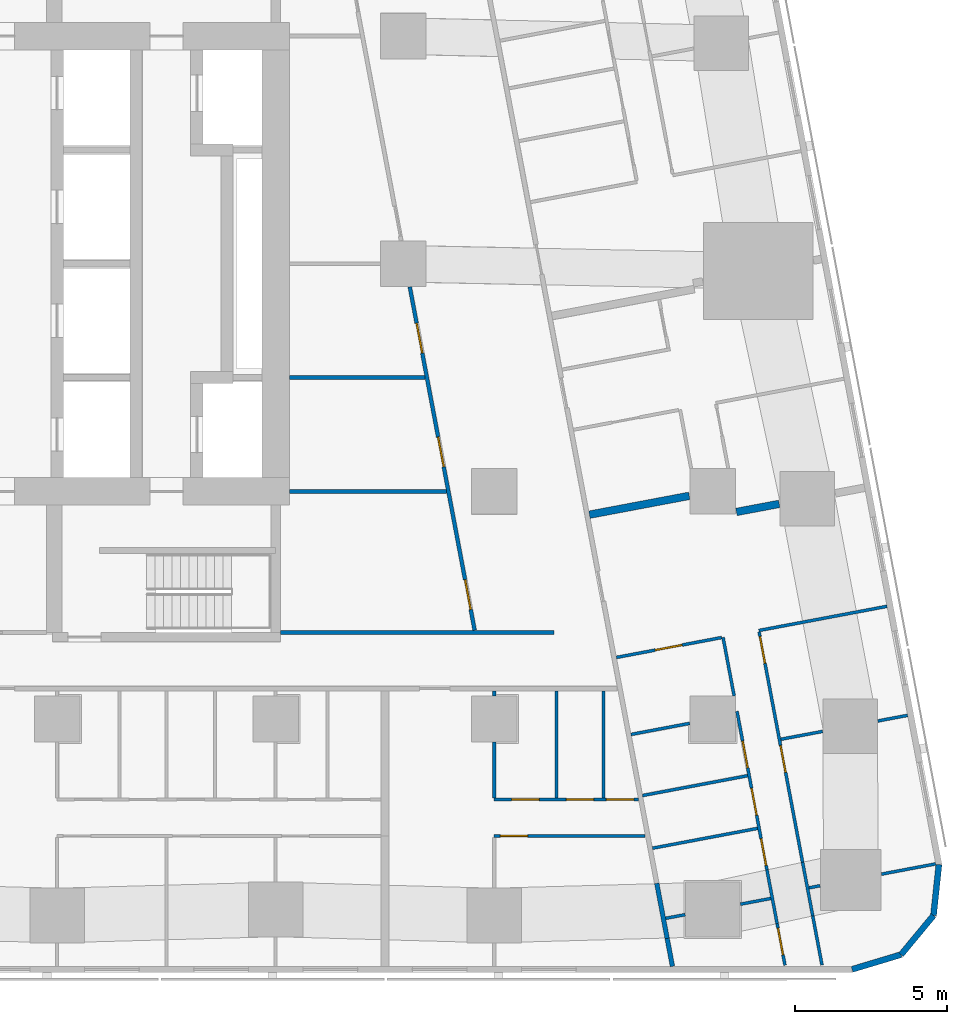
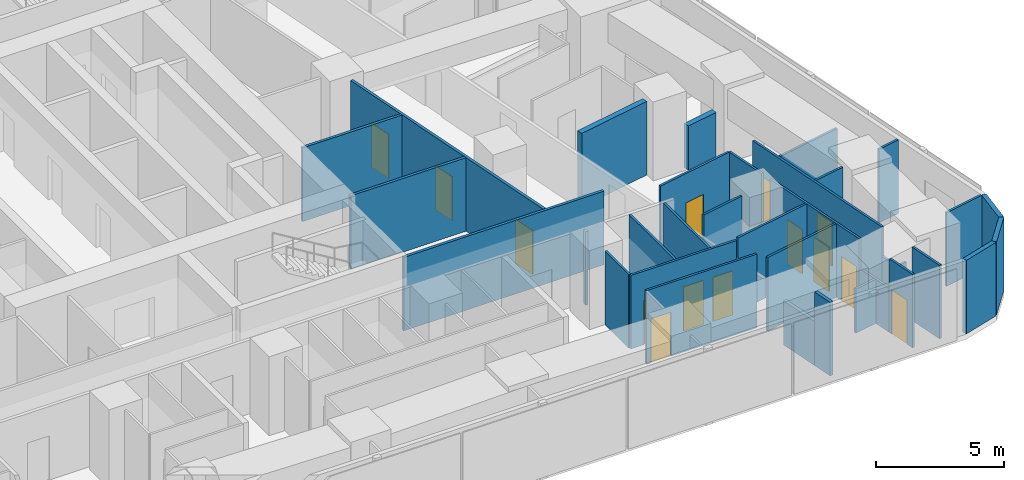
# One storey, part 7 of 15: 35 walls, 14 doors, 14 openings.
"""IFC4 building model written with IfcOpenShell, lengths in metres."""

from ifc_helpers import new_model, si_unit, direction, frame, frame_2d, origin, place, context, subcontext, project, spatial, rectangle, extrude, material, layer, layer_set, type_object, element, fill, save


model = new_model("IFC4")

# Units and contexts
model_context = context("Model", 3, precision=1e-05, world=origin(), true_north=direction((0.0, 1.0)))
body_context = subcontext(model_context, "Body", "Model", "MODEL_VIEW")
ifc_project = project(units=[si_unit("LENGTHUNIT", "METRE"), si_unit("AREAUNIT", "SQUARE_METRE"), si_unit("VOLUMEUNIT", "CUBIC_METRE"), si_unit("PLANEANGLEUNIT", "RADIAN"), si_unit("MASSUNIT", "GRAM", prefix="KILO")], contexts=[model_context])

# Site, building, storey
site_placement = place(None, origin())
site = spatial("IfcSite", under=ifc_project, at=site_placement, CompositionType="ELEMENT")
building_placement = place(site_placement, origin())
building = spatial("IfcBuilding", under=site, at=building_placement, Name="Sheger Commons Tower", CompositionType="ELEMENT")
storey_placement = place(building_placement, frame((0.0, 0.0, 143.300048828125)))
storey = spatial("IfcBuildingStorey", under=building, at=storey_placement, Name="L36", CompositionType="ELEMENT", Elevation=143.300048828125)

# Walls
ifc_material_1 = material(Name="Hollow concrete block masonry, skimmed both sides", Category="masonry")
ifc_layer_1 = layer(ifc_material_1, 0.14990234375)
ifc_layer_set_1 = layer_set([ifc_layer_1], Name="CORRIDOR WALL 150")
wall_type_1 = type_object("IfcWallType", Name="CORRIDOR WALL 150", PredefinedType="SOLIDWALL", material=ifc_layer_set_1)
wall_1_placement = place(storey_placement, frame((41.35498046875, 2.0859375, 0.0), z_axis=(0.0, 0.0, 1.0), x_axis=(0.185708872674, -0.982604811005, 0.0)))
element("IfcWall", 1, at=wall_1_placement, inside=storey, type_object=wall_type_1, Name="Corridor wall L36", PredefinedType="SOLIDWALL", context=body_context, shape_type="SweptSolid", body=[
    extrude(rectangle(XDim=1.84716796875, YDim=0.14990234375, at=frame_2d((0.923583984375, 0.0))), origin(), (0.0, 0.0, 1.0), 2.099853515625),
])
wall_2_placement = place(storey_placement, frame((41.697998046875, 0.27099609375, 0.0), z_axis=(0.0, 0.0, 1.0), x_axis=(0.185735329995, -0.982599810295, 0.0)))
element("IfcWall", 2, at=wall_2_placement, inside=storey, type_object=wall_type_1, Name="Corridor wall L36", PredefinedType="SOLIDWALL", context=body_context, shape_type="SweptSolid", body=[
    extrude(rectangle(XDim=0.937255859375, YDim=0.14990234375, at=frame_2d((0.46875, 0.0))), origin(), (0.0, 0.0, 1.0), 3.5),
])
ifc_material_2 = material(Name="Dense concrete block masonry, plastered both sides (separating wall between flats)", Category="masonry")
ifc_layer_2 = layer(ifc_material_2, 0.25)
ifc_layer_set_2 = layer_set([ifc_layer_2], Name="DEMISING WALL 250")
wall_type_2 = type_object("IfcWallType", Name="DEMISING WALL 250", PredefinedType="SOLIDWALL", material=ifc_layer_set_2)
wall_3_placement = place(storey_placement, frame((45.389892578125, 14.587890625, 0.0), z_axis=(0.0, 0.0, 1.0), x_axis=(-0.982680951688, -0.18530555089, 0.0)))
element("IfcWall", 3, at=wall_3_placement, inside=storey, type_object=wall_type_2, Name="Demising wall L36", PredefinedType="SOLIDWALL", context=body_context, shape_type="SweptSolid", body=[
    extrude(rectangle(XDim=1.434814453125, YDim=0.25, at=frame_2d((0.71728515625, 0.0))), origin(), (0.0, 0.0, 1.0), 2.099853515625),
])
wall_4_placement = place(storey_placement, frame((42.426025390625, 14.85302734375, 0.0), z_axis=(0.0, 0.0, 1.0), x_axis=(-0.982633560103, -0.185556693654, 0.0)))
element("IfcWall", 4, at=wall_4_placement, inside=storey, type_object=wall_type_2, Name="Demising wall L36", PredefinedType="SOLIDWALL", context=body_context, shape_type="SweptSolid", body=[
    extrude(rectangle(XDim=3.34716796875, YDim=0.25, at=frame_2d((1.673583984375, 0.0))), origin(), (0.0, 0.0, 1.0), 3.5),
])
ifc_material_3 = material(Name="Rendered concrete block masonry, dark grey", Category="masonry")
ifc_layer_3 = layer(ifc_material_3, 0.199951171875)
ifc_layer_set_3 = layer_set([ifc_layer_3], Name="FACADE WALL 200")
wall_type_3 = type_object("IfcWallType", Name="FACADE WALL 200", PredefinedType="SOLIDWALL", material=ifc_layer_set_3)
wall_5_placement = place(storey_placement, frame((47.791015625, -0.75, 0.0), z_axis=(0.0, 0.0, 1.0), x_axis=(0.957455232626, 0.288581838509, 0.0)))
element("IfcWall", 5, at=wall_5_placement, inside=storey, type_object=wall_type_3, Name="Facade wall L36", PredefinedType="SOLIDWALL", context=body_context, shape_type="SweptSolid", body=[
    extrude(rectangle(XDim=1.687744140625, YDim=0.199951171875, at=frame_2d((0.84375, 0.0))), origin(), (0.0, 0.0, 1.0), 3.5),
])
wall_6_placement = place(storey_placement, frame((49.406982421875, -0.262939453125, 0.0), z_axis=(0.0, 0.0, 1.0), x_axis=(0.638042593423, 0.770001070764, 0.0)))
element("IfcWall", 6, at=wall_6_placement, inside=storey, type_object=wall_type_3, Name="Facade wall L36", PredefinedType="SOLIDWALL", context=body_context, shape_type="SweptSolid", body=[
    extrude(rectangle(XDim=1.672607421875, YDim=0.199951171875, at=frame_2d((0.83642578125, 0.0))), origin(), (0.0, 0.0, 1.0), 3.5),
])
wall_7_placement = place(storey_placement, frame((50.47412109375, 1.02490234375, 0.0), z_axis=(0.0, 0.0, 1.0), x_axis=(0.106047815515, 0.994361031429, 0.0)))
element("IfcWall", 7, at=wall_7_placement, inside=storey, type_object=wall_type_3, Name="Facade wall L36", PredefinedType="SOLIDWALL", context=body_context, shape_type="SweptSolid", body=[
    extrude(rectangle(XDim=1.6875, YDim=0.199951171875, at=frame_2d((0.84375, 0.0))), origin(), (0.0, 0.0, 1.0), 3.5),
])

# Wall, opening, door
ifc_material_4 = material(Name="Gypsum board on steel studs", Category="steel")
ifc_layer_4 = layer(ifc_material_4, 0.10009765625)
ifc_layer_set_4 = layer_set([ifc_layer_4], Name="PARTITION 100")
wall_type_4 = type_object("IfcWallType", Name="PARTITION 100", PredefinedType="PARTITIONING", material=ifc_layer_set_4)
wall_8_placement = place(storey_placement, frame((40.97412109375, 3.64990234375, 0.0), z_axis=(0.0, 0.0, 1.0), x_axis=(-1.0, 0.0, 0.0)))
wall_8 = element("IfcWall", 8, at=wall_8_placement, inside=storey, type_object=wall_type_4, Name="Partition L36", PredefinedType="PARTITIONING", context=body_context, shape_type="SweptSolid", body=[
    extrude(rectangle(XDim=4.97412109375, YDim=0.10009765625, at=frame_2d((2.487060546875, 0.0))), origin(), (0.0, 0.0, 1.0), 3.5),
])
opening_1_placement = place(wall_8_placement, frame((3.8740234375, 0.0, 0.0)))
opening_1 = element("IfcOpeningElement", 9, at=opening_1_placement, cuts=wall_8, Name="Opening D2", PredefinedType="OPENING", context=body_context, shape_type="SweptSolid", body=[
    extrude(rectangle(XDim=0.89990234375, YDim=2.10009765625, at=frame_2d((0.449951171875, 1.050048828125))), frame((0.0, 0.06005859375, 0.0), z_axis=(0.0, -1.0, 0.0), x_axis=(1.0, 0.0, 0.0)), (0.0, 0.0, 1.0), 0.1201171875),
])
ifc_material_5 = material(Name="Timber door set", Category="wood")
door_type_1 = type_object("IfcDoorType", Name="INTERNAL DOOR 900x2100", OperationType="NOTDEFINED", PredefinedType="DOOR", material=ifc_material_5)
door_1_placement = place(opening_1_placement, origin())
door_1 = element("IfcDoor", 10, at=door_1_placement, inside=storey, type_object=door_type_1, Name="Main bedroom door", OperationType="SINGLE_SWING_RIGHT", OverallHeight=2.10009765625, OverallWidth=0.89990234375, PredefinedType="DOOR", context=body_context, shape_type="SweptSolid", body=[
    extrude(rectangle(XDim=0.89990234375, YDim=2.10009765625, at=frame_2d((0.449951171875, 1.050048828125))), frame((0.0, 0.02490234375, 0.0), z_axis=(0.0, -1.0, 0.0), x_axis=(1.0, 0.0, 0.0)), (0.0, 0.0, 1.0), 0.050048828125),
])
fill(opening_1, door_1)

# Wall, openings, doors
wall_9_placement = place(storey_placement, frame((40.7470703125, 4.85009765625, 0.0), z_axis=(0.0, 0.0, 1.0), x_axis=(-1.0, 0.0, 0.0)))
wall_9 = element("IfcWall", 11, at=wall_9_placement, inside=storey, type_object=wall_type_4, Name="Partition L36", PredefinedType="PARTITIONING", context=body_context, shape_type="SweptSolid", body=[
    extrude(rectangle(XDim=4.7470703125, YDim=0.10009765625, at=frame_2d((2.37353515625, 0.0))), origin(), (0.0, 0.0, 1.0), 3.5),
])
opening_2_placement = place(wall_9_placement, frame((3.27197265625, 0.0, 0.0)))
opening_2 = element("IfcOpeningElement", 12, at=opening_2_placement, cuts=wall_9, Name="Opening D2", PredefinedType="OPENING", context=body_context, shape_type="SweptSolid", body=[
    extrude(rectangle(XDim=0.89990234375, YDim=2.10009765625, at=frame_2d((0.449951171875, 1.050048828125))), frame((0.0, 0.06005859375, 0.0), z_axis=(0.0, -1.0, 0.0), x_axis=(1.0, 0.0, 0.0)), (0.0, 0.0, 1.0), 0.1201171875),
])
opening_3_placement = place(wall_9_placement, frame((0.14990234375, 0.0, 0.0)))
opening_3 = element("IfcOpeningElement", 13, at=opening_3_placement, cuts=wall_9, Name="Opening D2", PredefinedType="OPENING", context=body_context, shape_type="SweptSolid", body=[
    extrude(rectangle(XDim=0.89990234375, YDim=2.10009765625, at=frame_2d((0.449951171875, 1.050048828125))), frame((0.0, 0.06005859375, 0.0), z_axis=(0.0, -1.0, 0.0), x_axis=(1.0, 0.0, 0.0)), (0.0, 0.0, 1.0), 0.1201171875),
])
opening_4_placement = place(wall_9_placement, frame((1.471923828125, 0.0, 0.0)))
opening_4 = element("IfcOpeningElement", 14, at=opening_4_placement, cuts=wall_9, Name="Opening D2", PredefinedType="OPENING", context=body_context, shape_type="SweptSolid", body=[
    extrude(rectangle(XDim=0.89990234375, YDim=2.10009765625, at=frame_2d((0.449951171875, 1.050048828125))), frame((0.0, 0.06005859375, 0.0), z_axis=(0.0, -1.0, 0.0), x_axis=(1.0, 0.0, 0.0)), (0.0, 0.0, 1.0), 0.1201171875),
])
door_2_placement = place(opening_2_placement, origin())
door_2 = element("IfcDoor", 15, at=door_2_placement, inside=storey, type_object=door_type_1, Name="Bathroom door", OperationType="SINGLE_SWING_LEFT", OverallHeight=2.10009765625, OverallWidth=0.89990234375, PredefinedType="DOOR", context=body_context, shape_type="SweptSolid", body=[
    extrude(rectangle(XDim=0.89990234375, YDim=2.10009765625, at=frame_2d((0.449951171875, 1.050048828125))), frame((0.0, 0.02490234375, 0.0), z_axis=(0.0, -1.0, 0.0), x_axis=(1.0, 0.0, 0.0)), (0.0, 0.0, 1.0), 0.050048828125),
])
fill(opening_2, door_2)
door_3_placement = place(opening_3_placement, origin())
door_3 = element("IfcDoor", 16, at=door_3_placement, inside=storey, type_object=door_type_1, Name="Laundry room door", OperationType="SINGLE_SWING_RIGHT", OverallHeight=2.10009765625, OverallWidth=0.89990234375, PredefinedType="DOOR", context=body_context, shape_type="SweptSolid", body=[
    extrude(rectangle(XDim=0.89990234375, YDim=2.10009765625, at=frame_2d((0.449951171875, 1.050048828125))), frame((0.0, 0.02490234375, 0.0), z_axis=(0.0, -1.0, 0.0), x_axis=(1.0, 0.0, 0.0)), (0.0, 0.0, 1.0), 0.050048828125),
])
fill(opening_3, door_3)
door_4_placement = place(opening_4_placement, origin())
door_4 = element("IfcDoor", 17, at=door_4_placement, inside=storey, type_object=door_type_1, Name="Store door", OperationType="SINGLE_SWING_RIGHT", OverallHeight=2.10009765625, OverallWidth=0.89990234375, PredefinedType="DOOR", context=body_context, shape_type="SweptSolid", body=[
    extrude(rectangle(XDim=0.89990234375, YDim=2.10009765625, at=frame_2d((0.449951171875, 1.050048828125))), frame((0.0, 0.02490234375, 0.0), z_axis=(0.0, -1.0, 0.0), x_axis=(1.0, 0.0, 0.0)), (0.0, 0.0, 1.0), 0.050048828125),
])
fill(opening_4, door_4)

# Walls
wall_10_placement = place(storey_placement, frame((36.0, 4.89990234375, 0.0), z_axis=(0.0, 0.0, 1.0), x_axis=(0.0, 1.0, 0.0)))
element("IfcWall", 18, at=wall_10_placement, inside=storey, type_object=wall_type_4, Name="Partition L36", PredefinedType="PARTITIONING", context=body_context, shape_type="SweptSolid", body=[
    extrude(rectangle(XDim=1.84912109375, YDim=0.10009765625, at=frame_2d((0.924560546875, 0.0))), origin(), (0.0, 0.0, 1.0), 3.5),
])
wall_11_placement = place(storey_placement, frame((36.0, 8.2509765625, 0.0), z_axis=(0.0, 0.0, 1.0), x_axis=(0.0, 1.0, 0.0)))
element("IfcWall", 19, at=wall_11_placement, inside=storey, type_object=wall_type_4, Name="Partition L36", PredefinedType="PARTITIONING", context=body_context, shape_type="SweptSolid", body=[
    extrude(rectangle(XDim=0.174072265625, YDim=0.10009765625, at=frame_2d((0.0869140625, 0.0))), origin(), (0.0, 0.0, 1.0), 3.5),
])
for number, where, z_axis, x_axis, name in (
    (20, (39.60009765625, 4.89990234375, 0.0), (0.0, 0.0, 1.0), (0.0, 1.0, 0.0), "Partition L36"),
    (21, (38.050048828125, 4.89990234375, 0.0), (0.0, 0.0, 1.0), (0.0, 1.0, 0.0), "Partition L36"),
):
    element("IfcWall", number, at=place(storey_placement, frame(where, z_axis=z_axis, x_axis=x_axis)), inside=storey, type_object=wall_type_4, Name=name, PredefinedType="PARTITIONING", context=body_context, shape_type="SweptSolid", body=[
        extrude(rectangle(XDim=3.525146484375, YDim=0.10009765625, at=frame_2d((1.7626953125, 0.0))), origin(), (0.0, 0.0, 1.0), 3.5),
    ])

# Wall, openings, doors
wall_12_placement = place(storey_placement, frame((44.72705078125, 10.365966796875, 0.0), z_axis=(0.0, 0.0, 1.0), x_axis=(0.185578957652, -0.982629355595, 0.0)))
wall_12 = element("IfcWall", 22, at=wall_12_placement, inside=storey, type_object=wall_type_4, Name="Partition L36", PredefinedType="PARTITIONING", context=body_context, shape_type="SweptSolid", body=[
    extrude(rectangle(XDim=7.720947265625, YDim=0.10009765625, at=frame_2d((3.8603515625, 0.0))), origin(), (0.0, 0.0, 1.0), 3.5),
])
opening_5_placement = place(wall_12_placement, frame((0.15087890625, 0.0, 0.0)))
opening_5 = element("IfcOpeningElement", 23, at=opening_5_placement, cuts=wall_12, Name="Opening D2", PredefinedType="OPENING", context=body_context, shape_type="SweptSolid", body=[
    extrude(rectangle(XDim=0.89990234375, YDim=2.10009765625, at=frame_2d((0.449951171875, 1.050048828125))), frame((0.0, 0.06005859375, 0.0), z_axis=(0.0, -1.0, 0.0), x_axis=(1.0, 0.0, 0.0)), (0.0, 0.0, 1.0), 0.1201171875),
])
opening_6_placement = place(wall_12_placement, frame((3.805908203125, 0.0, 0.0)))
opening_6 = element("IfcOpeningElement", 24, at=opening_6_placement, cuts=wall_12, Name="Opening D2", PredefinedType="OPENING", context=body_context, shape_type="SweptSolid", body=[
    extrude(rectangle(XDim=0.89990234375, YDim=2.10009765625, at=frame_2d((0.449951171875, 1.050048828125))), frame((0.0, 0.06005859375, 0.0), z_axis=(0.0, -1.0, 0.0), x_axis=(1.0, 0.0, 0.0)), (0.0, 0.0, 1.0), 0.1201171875),
])
door_5_placement = place(opening_5_placement, origin())
door_5 = element("IfcDoor", 25, at=door_5_placement, inside=storey, type_object=door_type_1, Name="Main bedroom door", OperationType="SINGLE_SWING_LEFT", OverallHeight=2.10009765625, OverallWidth=0.89990234375, PredefinedType="DOOR", context=body_context, shape_type="SweptSolid", body=[
    extrude(rectangle(XDim=0.89990234375, YDim=2.10009765625, at=frame_2d((0.449951171875, 1.050048828125))), frame((0.0, 0.02490234375, 0.0), z_axis=(0.0, -1.0, 0.0), x_axis=(1.0, 0.0, 0.0)), (0.0, 0.0, 1.0), 0.050048828125),
])
fill(opening_5, door_5)
door_6_placement = place(opening_6_placement, origin())
door_6 = element("IfcDoor", 26, at=door_6_placement, inside=storey, type_object=door_type_1, Name="Bedroom 2 door", OperationType="SINGLE_SWING_LEFT", OverallHeight=2.10009765625, OverallWidth=0.89990234375, PredefinedType="DOOR", context=body_context, shape_type="SweptSolid", body=[
    extrude(rectangle(XDim=0.89990234375, YDim=2.10009765625, at=frame_2d((0.449951171875, 1.050048828125))), frame((0.0, 0.02490234375, 0.0), z_axis=(0.0, -1.0, 0.0), x_axis=(1.0, 0.0, 0.0)), (0.0, 0.0, 1.0), 0.050048828125),
])
fill(opening_6, door_6)

# Walls
wall_13_placement = place(storey_placement, frame((46.159912109375, 2.779052734375, 0.0), z_axis=(0.0, 0.0, 1.0), x_axis=(0.18597295662, -0.982554863306, 0.0)))
element("IfcWall", 27, at=wall_13_placement, inside=storey, type_object=wall_type_4, Name="Partition L36", PredefinedType="PARTITIONING", context=body_context, shape_type="SweptSolid", body=[
    extrude(rectangle(XDim=1.802490234375, YDim=0.10009765625, at=frame_2d((0.9013671875, 0.0))), origin(), (0.0, 0.0, 1.0), 2.099853515625),
])
wall_14_placement = place(storey_placement, frame((46.4951171875, 1.008056640625, 0.0), z_axis=(0.0, 0.0, 1.0), x_axis=(0.185535059532, -0.982637645159, 0.0)))
element("IfcWall", 28, at=wall_14_placement, inside=storey, type_object=wall_type_4, Name="Partition L36", PredefinedType="PARTITIONING", context=body_context, shape_type="SweptSolid", body=[
    extrude(rectangle(XDim=1.6435546875, YDim=0.10009765625, at=frame_2d((0.82177734375, 0.0))), origin(), (0.0, 0.0, 1.0), 3.5),
])
wall_15_placement = place(storey_placement, frame((43.5390625, 10.19189453125, 0.0), z_axis=(0.0, 0.0, 1.0), x_axis=(0.18564540894, -0.982616803306, 0.0)))
element("IfcWall", 29, at=wall_15_placement, inside=storey, type_object=wall_type_4, Name="Partition L36", PredefinedType="PARTITIONING", context=body_context, shape_type="SweptSolid", body=[
    extrude(rectangle(XDim=1.966064453125, YDim=0.10009765625, at=frame_2d((0.98291015625, 0.0))), origin(), (0.0, 0.0, 1.0), 3.5),
])

# Wall, openings, doors
wall_16_placement = place(storey_placement, frame((43.9990234375, 7.7548828125, 0.0), z_axis=(0.0, 0.0, 1.0), x_axis=(0.185565904578, -0.982631820703, 0.0)))
wall_16 = element("IfcWall", 30, at=wall_16_placement, inside=storey, type_object=wall_type_4, Name="Partition L36", PredefinedType="PARTITIONING", context=body_context, shape_type="SweptSolid", body=[
    extrude(rectangle(XDim=5.319091796875, YDim=0.10009765625, at=frame_2d((2.65966796875, 0.0))), origin(), (0.0, 0.0, 1.0), 3.5),
])
opening_7_placement = place(wall_16_placement, frame((1.0, 0.0, 0.0)))
opening_7 = element("IfcOpeningElement", 31, at=opening_7_placement, cuts=wall_16, Name="Opening D2", PredefinedType="OPENING", context=body_context, shape_type="SweptSolid", body=[
    extrude(rectangle(XDim=0.89990234375, YDim=2.10009765625, at=frame_2d((0.449951171875, 1.050048828125))), frame((0.0, 0.06005859375, 0.0), z_axis=(0.0, -1.0, 0.0), x_axis=(1.0, 0.0, 0.0)), (0.0, 0.0, 1.0), 0.1201171875),
])
opening_8_placement = place(wall_16_placement, frame((4.26904296875, 0.0, 0.0)))
opening_8 = element("IfcOpeningElement", 32, at=opening_8_placement, cuts=wall_16, Name="Opening D2", PredefinedType="OPENING", context=body_context, shape_type="SweptSolid", body=[
    extrude(rectangle(XDim=0.89990234375, YDim=2.10009765625, at=frame_2d((0.449951171875, 1.050048828125))), frame((0.0, 0.06005859375, 0.0), z_axis=(0.0, -1.0, 0.0), x_axis=(1.0, 0.0, 0.0)), (0.0, 0.0, 1.0), 0.1201171875),
])
opening_9_placement = place(wall_16_placement, frame((2.5849609375, 0.0, 0.0)))
opening_9 = element("IfcOpeningElement", 33, at=opening_9_placement, cuts=wall_16, Name="Opening D2", PredefinedType="OPENING", context=body_context, shape_type="SweptSolid", body=[
    extrude(rectangle(XDim=0.89990234375, YDim=2.10009765625, at=frame_2d((0.449951171875, 1.050048828125))), frame((0.0, 0.06005859375, 0.0), z_axis=(0.0, -1.0, 0.0), x_axis=(1.0, 0.0, 0.0)), (0.0, 0.0, 1.0), 0.1201171875),
])
door_7_placement = place(opening_7_placement, origin())
door_7 = element("IfcDoor", 34, at=door_7_placement, inside=storey, type_object=door_type_1, Name="Bathroom door", OperationType="SINGLE_SWING_LEFT", OverallHeight=2.10009765625, OverallWidth=0.89990234375, PredefinedType="DOOR", context=body_context, shape_type="SweptSolid", body=[
    extrude(rectangle(XDim=0.89990234375, YDim=2.10009765625, at=frame_2d((0.449951171875, 1.050048828125))), frame((0.0, 0.02490234375, 0.0), z_axis=(0.0, -1.0, 0.0), x_axis=(1.0, 0.0, 0.0)), (0.0, 0.0, 1.0), 0.050048828125),
])
fill(opening_7, door_7)
door_8_placement = place(opening_8_placement, origin())
door_8 = element("IfcDoor", 35, at=door_8_placement, inside=storey, type_object=door_type_1, Name="Laundry room door", OperationType="SINGLE_SWING_LEFT", OverallHeight=2.10009765625, OverallWidth=0.89990234375, PredefinedType="DOOR", context=body_context, shape_type="SweptSolid", body=[
    extrude(rectangle(XDim=0.89990234375, YDim=2.10009765625, at=frame_2d((0.449951171875, 1.050048828125))), frame((0.0, 0.02490234375, 0.0), z_axis=(0.0, -1.0, 0.0), x_axis=(1.0, 0.0, 0.0)), (0.0, 0.0, 1.0), 0.050048828125),
])
fill(opening_8, door_8)
door_9_placement = place(opening_9_placement, origin())
door_9 = element("IfcDoor", 36, at=door_9_placement, inside=storey, type_object=door_type_1, Name="Store door", OperationType="SINGLE_SWING_RIGHT", OverallHeight=2.10009765625, OverallWidth=0.89990234375, PredefinedType="DOOR", context=body_context, shape_type="SweptSolid", body=[
    extrude(rectangle(XDim=0.89990234375, YDim=2.10009765625, at=frame_2d((0.449951171875, 1.050048828125))), frame((0.0, 0.02490234375, 0.0), z_axis=(0.0, -1.0, 0.0), x_axis=(1.0, 0.0, 0.0)), (0.0, 0.0, 1.0), 0.050048828125),
])
fill(opening_9, door_9)

# Wall
wall_17_placement = place(storey_placement, frame((44.986083984375, 2.528076171875, 0.0), z_axis=(0.0, 0.0, 1.0), x_axis=(0.18584218627, -0.982579605835, 0.0)))
element("IfcWall", 37, at=wall_17_placement, inside=storey, type_object=wall_type_4, Name="Partition L36", PredefinedType="PARTITIONING", context=body_context, shape_type="SweptSolid", body=[
    extrude(rectangle(XDim=1.802490234375, YDim=0.10009765625, at=frame_2d((0.9013671875, 0.0))), origin(), (0.0, 0.0, 1.0), 2.099853515625),
])

# Wall, opening, door
wall_18_placement = place(storey_placement, frame((45.321044921875, 0.757080078125, 0.0), z_axis=(0.0, 0.0, 1.0), x_axis=(0.185640562635, -0.982617718904, 0.0)))
wall_18 = element("IfcWall", 38, at=wall_18_placement, inside=storey, type_object=wall_type_4, Name="Partition L36", PredefinedType="PARTITIONING", context=body_context, shape_type="SweptSolid", body=[
    extrude(rectangle(XDim=1.395263671875, YDim=0.10009765625, at=frame_2d((0.69775390625, 0.0))), origin(), (0.0, 0.0, 1.0), 3.5),
])
opening_10_placement = place(wall_18_placement, frame((0.14990234375, 0.0, 0.0)))
opening_10 = element("IfcOpeningElement", 39, at=opening_10_placement, cuts=wall_18, Name="Opening D2", PredefinedType="OPENING", context=body_context, shape_type="SweptSolid", body=[
    extrude(rectangle(XDim=0.89990234375, YDim=2.10009765625, at=frame_2d((0.449951171875, 1.050048828125))), frame((0.0, 0.06005859375, 0.0), z_axis=(0.0, -1.0, 0.0), x_axis=(1.0, 0.0, 0.0)), (0.0, 0.0, 1.0), 0.1201171875),
])
door_10_placement = place(opening_10_placement, origin())
door_10 = element("IfcDoor", 40, at=door_10_placement, inside=storey, type_object=door_type_1, Name="Laundry room door", OperationType="SINGLE_SWING_RIGHT", OverallHeight=2.10009765625, OverallWidth=0.89990234375, PredefinedType="DOOR", context=body_context, shape_type="SweptSolid", body=[
    extrude(rectangle(XDim=0.89990234375, YDim=2.10009765625, at=frame_2d((0.449951171875, 1.050048828125))), frame((0.0, 0.02490234375, 0.0), z_axis=(0.0, -1.0, 0.0), x_axis=(1.0, 0.0, 0.0)), (0.0, 0.0, 1.0), 0.050048828125),
])
fill(opening_10, door_10)

# Walls
wall_19_placement = place(storey_placement, frame((48.943115234375, 11.212890625, 0.0), z_axis=(0.0, 0.0, 1.0), x_axis=(-0.982633535512, -0.185556823879, 0.0)))
element("IfcWall", 41, at=wall_19_placement, inside=storey, type_object=wall_type_4, Name="Partition L36", PredefinedType="PARTITIONING", context=body_context, shape_type="SweptSolid", body=[
    extrude(rectangle(XDim=4.2998046875, YDim=0.10009765625, at=frame_2d((2.14990234375, 0.0))), origin(), (0.0, 0.0, 1.0), 2.099853515625),
])
wall_20_placement = place(storey_placement, frame((49.6220703125, 7.6201171875, 0.0), z_axis=(0.0, 0.0, 1.0), x_axis=(-0.982708646087, -0.185158626332, 0.0)))
element("IfcWall", 42, at=wall_20_placement, inside=storey, type_object=wall_type_4, Name="Partition L36", PredefinedType="PARTITIONING", context=body_context, shape_type="SweptSolid", body=[
    extrude(rectangle(XDim=0.99951171875, YDim=0.10009765625, at=frame_2d((0.499755859375, 0.0))), origin(), (0.0, 0.0, 1.0), 3.5),
])
wall_21_placement = place(storey_placement, frame((46.820068359375, 7.091064453125, 0.0), z_axis=(0.0, 0.0, 1.0), x_axis=(-0.982689853246, -0.185258339427, 0.0)))
element("IfcWall", 43, at=wall_21_placement, inside=storey, type_object=wall_type_4, Name="Partition L36", PredefinedType="PARTITIONING", context=body_context, shape_type="SweptSolid", body=[
    extrude(rectangle(XDim=1.398193359375, YDim=0.10009765625, at=frame_2d((0.69921875, 0.0))), origin(), (0.0, 0.0, 1.0), 3.5),
])
wall_22_placement = place(storey_placement, frame((50.547119140625, 2.72607421875, 0.0), z_axis=(0.0, 0.0, 1.0), x_axis=(-0.982603988143, -0.185713226471, 0.0)))
element("IfcWall", 44, at=wall_22_placement, inside=storey, type_object=wall_type_4, Name="Partition L36", PredefinedType="PARTITIONING", context=body_context, shape_type="SweptSolid", body=[
    extrude(rectangle(XDim=1.82080078125, YDim=0.10009765625, at=frame_2d((0.910400390625, 0.0))), origin(), (0.0, 0.0, 1.0), 3.5),
])
wall_23_placement = place(storey_placement, frame((46.738037109375, 2.006103515625, 0.0), z_axis=(0.0, 0.0, 1.0), x_axis=(-0.982820466874, -0.184564161994, 0.0)))
element("IfcWall", 45, at=wall_23_placement, inside=storey, type_object=wall_type_4, Name="Partition L36", PredefinedType="PARTITIONING", context=body_context, shape_type="SweptSolid", body=[
    extrude(rectangle(XDim=0.374267578125, YDim=0.10009765625, at=frame_2d((0.18701171875, 0.0))), origin(), (0.0, 0.0, 1.0), 2.099853515625),
])

# Wall, opening, door
wall_24_placement = place(storey_placement, frame((43.489990234375, 10.18310546875, 0.0), z_axis=(0.0, 0.0, 1.0), x_axis=(-0.982588017646, -0.185797706064, 0.0)))
wall_24 = element("IfcWall", 46, at=wall_24_placement, inside=storey, type_object=wall_type_4, Name="Partition L36", PredefinedType="PARTITIONING", context=body_context, shape_type="SweptSolid", body=[
    extrude(rectangle(XDim=3.525390625, YDim=0.10009765625, at=frame_2d((1.7626953125, 0.0))), origin(), (0.0, 0.0, 1.0), 3.5),
])
opening_11_placement = place(wall_24_placement, frame((1.324951171875, 0.0, 0.0)))
opening_11 = element("IfcOpeningElement", 47, at=opening_11_placement, cuts=wall_24, Name="Opening D2", PredefinedType="OPENING", context=body_context, shape_type="SweptSolid", body=[
    extrude(rectangle(XDim=0.89990234375, YDim=2.10009765625, at=frame_2d((0.449951171875, 1.050048828125))), frame((0.0, 0.06005859375, 0.0), z_axis=(0.0, -1.0, 0.0), x_axis=(1.0, 0.0, 0.0)), (0.0, 0.0, 1.0), 0.1201171875),
])
door_11_placement = place(opening_11_placement, origin())
door_11 = element("IfcDoor", 48, at=door_11_placement, inside=storey, type_object=door_type_1, Name="Store door", OperationType="SINGLE_SWING_RIGHT", OverallHeight=2.10009765625, OverallWidth=0.89990234375, PredefinedType="DOOR", context=body_context, shape_type="SweptSolid", body=[
    extrude(rectangle(XDim=0.89990234375, YDim=2.10009765625, at=frame_2d((0.449951171875, 1.050048828125))), frame((0.0, 0.02490234375, 0.0), z_axis=(0.0, -1.0, 0.0), x_axis=(1.0, 0.0, 0.0)), (0.0, 0.0, 1.0), 0.050048828125),
])
fill(opening_11, door_11)

# Walls
wall_25_placement = place(storey_placement, frame((42.43994140625, 7.35693359375, 0.0), z_axis=(0.0, 0.0, 1.0), x_axis=(-0.982581871375, -0.185830207569, 0.0)))
element("IfcWall", 49, at=wall_25_placement, inside=storey, type_object=wall_type_4, Name="Partition L36", PredefinedType="PARTITIONING", context=body_context, shape_type="SweptSolid", body=[
    extrude(rectangle(XDim=1.969482421875, YDim=0.10009765625, at=frame_2d((0.98486328125, 0.0))), origin(), (0.0, 0.0, 1.0), 3.5),
])
wall_26_placement = place(storey_placement, frame((45.114013671875, 1.5869140625, 0.0), z_axis=(0.0, 0.0, 1.0), x_axis=(-0.982567886437, -0.185904138047, 0.0)))
element("IfcWall", 50, at=wall_26_placement, inside=storey, type_object=wall_type_4, Name="Partition L36", PredefinedType="PARTITIONING", context=body_context, shape_type="SweptSolid", body=[
    extrude(rectangle(XDim=1.021728515625, YDim=0.10009765625, at=frame_2d((0.5107421875, 0.0))), origin(), (0.0, 0.0, 1.0), 2.099853515625),
])
wall_27_placement = place(storey_placement, frame((42.2900390625, 1.052978515625, 0.0), z_axis=(0.0, 0.0, 1.0), x_axis=(-0.982573945355, -0.185872111707, 0.0)))
element("IfcWall", 51, at=wall_27_placement, inside=storey, type_object=wall_type_4, Name="Partition L36", PredefinedType="PARTITIONING", context=body_context, shape_type="SweptSolid", body=[
    extrude(rectangle(XDim=0.651611328125, YDim=0.10009765625, at=frame_2d((0.32568359375, 0.0))), origin(), (0.0, 0.0, 1.0), 2.099853515625),
])
for number, where, z_axis, x_axis, name in (
    (52, (44.677001953125, 3.89599609375, 0.0), (0.0, 0.0, 1.0), (-0.982638553676, -0.185530247748, 0.0), "Partition L36"),
    (53, (44.35009765625, 5.631103515625, 0.0), (0.0, 0.0, 1.0), (-0.982638553676, -0.185530247748, 0.0), "Partition L36"),
):
    element("IfcWall", number, at=place(storey_placement, frame(where, z_axis=z_axis, x_axis=x_axis)), inside=storey, type_object=wall_type_4, Name=name, PredefinedType="PARTITIONING", context=body_context, shape_type="SweptSolid", body=[
        extrude(rectangle(XDim=3.525390625, YDim=0.10009765625, at=frame_2d((1.7626953125, 0.0))), origin(), (0.0, 0.0, 1.0), 3.5),
    ])
ifc_material_6 = material(Name="Gypsum board on steel studs, two layers each side, fire rated", Category="steel")
ifc_layer_5 = layer(ifc_material_6, 0.125)
ifc_layer_set_5 = layer_set([ifc_layer_5], Name="SERVICE WALL 125")
wall_type_5 = type_object("IfcWallType", Name="SERVICE WALL 125", PredefinedType="PARTITIONING", material=ifc_layer_set_5)
wall_28_placement = place(storey_placement, frame((28.949951171875, 10.35009765625, 0.0), z_axis=(0.0, 0.0, 1.0), x_axis=(1.0, 0.0, 0.0)))
element("IfcWall", 54, at=wall_28_placement, inside=storey, type_object=wall_type_5, Name="Service room wall L36", PredefinedType="PARTITIONING", context=body_context, shape_type="SweptSolid", body=[
    extrude(rectangle(XDim=9.012939453125, YDim=0.125, at=frame_2d((4.50634765625, 0.0))), origin(), (0.0, 0.0, 1.0), 3.5),
])

# Wall, openings, doors
wall_29_placement = place(storey_placement, frame((35.35400390625, 10.424072265625, 0.0), z_axis=(0.0, 0.0, 1.0), x_axis=(-0.185612234763, 0.982623070311, 0.0)))
wall_29 = element("IfcWall", 55, at=wall_29_placement, inside=storey, type_object=wall_type_5, Name="Service room wall L36", PredefinedType="PARTITIONING", context=body_context, shape_type="SweptSolid", body=[
    extrude(rectangle(XDim=11.512939453125, YDim=0.125, at=frame_2d((5.75634765625, 0.0))), origin(), (0.0, 0.0, 1.0), 3.5),
])
opening_12_placement = place(wall_29_placement, frame((0.697021484375, 0.0, 0.0)))
opening_12 = element("IfcOpeningElement", 56, at=opening_12_placement, cuts=wall_29, Name="Opening D4", PredefinedType="OPENING", context=body_context, shape_type="SweptSolid", body=[
    extrude(rectangle(XDim=1.0, YDim=2.10009765625, at=frame_2d((0.5, 1.050048828125))), frame((0.0, 0.072509765625, 0.0), z_axis=(0.0, -1.0, 0.0), x_axis=(1.0, 0.0, 0.0)), (0.0, 0.0, 1.0), 0.14501953125),
])
opening_13_placement = place(wall_29_placement, frame((5.47998046875, 0.0, 0.0)))
opening_13 = element("IfcOpeningElement", 57, at=opening_13_placement, cuts=wall_29, Name="Opening D4", PredefinedType="OPENING", context=body_context, shape_type="SweptSolid", body=[
    extrude(rectangle(XDim=1.0, YDim=2.10009765625, at=frame_2d((0.5, 1.050048828125))), frame((0.0, 0.072509765625, 0.0), z_axis=(0.0, -1.0, 0.0), x_axis=(1.0, 0.0, 0.0)), (0.0, 0.0, 1.0), 0.14501953125),
])
opening_14_placement = place(wall_29_placement, frame((9.2958984375, 0.0, 0.0)))
opening_14 = element("IfcOpeningElement", 58, at=opening_14_placement, cuts=wall_29, Name="Opening D4", PredefinedType="OPENING", context=body_context, shape_type="SweptSolid", body=[
    extrude(rectangle(XDim=1.0, YDim=2.10009765625, at=frame_2d((0.5, 1.050048828125))), frame((0.0, 0.072509765625, 0.0), z_axis=(0.0, -1.0, 0.0), x_axis=(1.0, 0.0, 0.0)), (0.0, 0.0, 1.0), 0.14501953125),
])
ifc_material_7 = material(Name="Steel door set, fire rated", Category="steel")
door_type_2 = type_object("IfcDoorType", Name="SERVICE DOOR 1000x2100", OperationType="NOTDEFINED", PredefinedType="DOOR", material=ifc_material_7)
door_12_placement = place(opening_12_placement, origin())
door_12 = element("IfcDoor", 59, at=door_12_placement, inside=storey, type_object=door_type_2, Name="Residents' study room door", OperationType="SINGLE_SWING_LEFT", OverallHeight=2.10009765625, OverallWidth=1.0, PredefinedType="DOOR", context=body_context, shape_type="SweptSolid", body=[
    extrude(rectangle(XDim=1.0, YDim=2.10009765625, at=frame_2d((0.5, 1.050048828125))), frame((0.0, 0.02490234375, 0.0), z_axis=(0.0, -1.0, 0.0), x_axis=(1.0, 0.0, 0.0)), (0.0, 0.0, 1.0), 0.050048828125),
])
fill(opening_12, door_12)
door_13_placement = place(opening_13_placement, origin())
door_13 = element("IfcDoor", 60, at=door_13_placement, inside=storey, type_object=door_type_2, Name="Residents' hobby room door", OperationType="SINGLE_SWING_LEFT", OverallHeight=2.10009765625, OverallWidth=1.0, PredefinedType="DOOR", context=body_context, shape_type="SweptSolid", body=[
    extrude(rectangle(XDim=1.0, YDim=2.10009765625, at=frame_2d((0.5, 1.050048828125))), frame((0.0, 0.02490234375, 0.0), z_axis=(0.0, -1.0, 0.0), x_axis=(1.0, 0.0, 0.0)), (0.0, 0.0, 1.0), 0.050048828125),
])
fill(opening_13, door_13)
door_14_placement = place(opening_14_placement, origin())
door_14 = element("IfcDoor", 61, at=door_14_placement, inside=storey, type_object=door_type_2, Name="Bicycle and pram store door", OperationType="SINGLE_SWING_LEFT", OverallHeight=2.10009765625, OverallWidth=1.0, PredefinedType="DOOR", context=body_context, shape_type="SweptSolid", body=[
    extrude(rectangle(XDim=1.0, YDim=2.10009765625, at=frame_2d((0.5, 1.050048828125))), frame((0.0, 0.02490234375, 0.0), z_axis=(0.0, -1.0, 0.0), x_axis=(1.0, 0.0, 0.0)), (0.0, 0.0, 1.0), 0.050048828125),
])
fill(opening_14, door_14)

# Walls
wall_30_placement = place(storey_placement, frame((29.25, 15.0, 0.0), z_axis=(0.0, 0.0, 1.0), x_axis=(1.0, 0.0, 0.0)))
element("IfcWall", 62, at=wall_30_placement, inside=storey, type_object=wall_type_5, Name="Service room wall L36", PredefinedType="PARTITIONING", context=body_context, shape_type="SweptSolid", body=[
    extrude(rectangle(XDim=5.176025390625, YDim=0.125, at=frame_2d((2.587890625, 0.0))), origin(), (0.0, 0.0, 1.0), 3.5),
])
wall_31_placement = place(storey_placement, frame((29.25, 18.75, 0.0), z_axis=(0.0, 0.0, 1.0), x_axis=(1.0, 0.0, 0.0)))
element("IfcWall", 63, at=wall_31_placement, inside=storey, type_object=wall_type_5, Name="Service room wall L36", PredefinedType="PARTITIONING", context=body_context, shape_type="SweptSolid", body=[
    extrude(rectangle(XDim=4.467041015625, YDim=0.125, at=frame_2d((2.2333984375, 0.0))), origin(), (0.0, 0.0, 1.0), 3.5),
])

save(model, "model.ifc")
